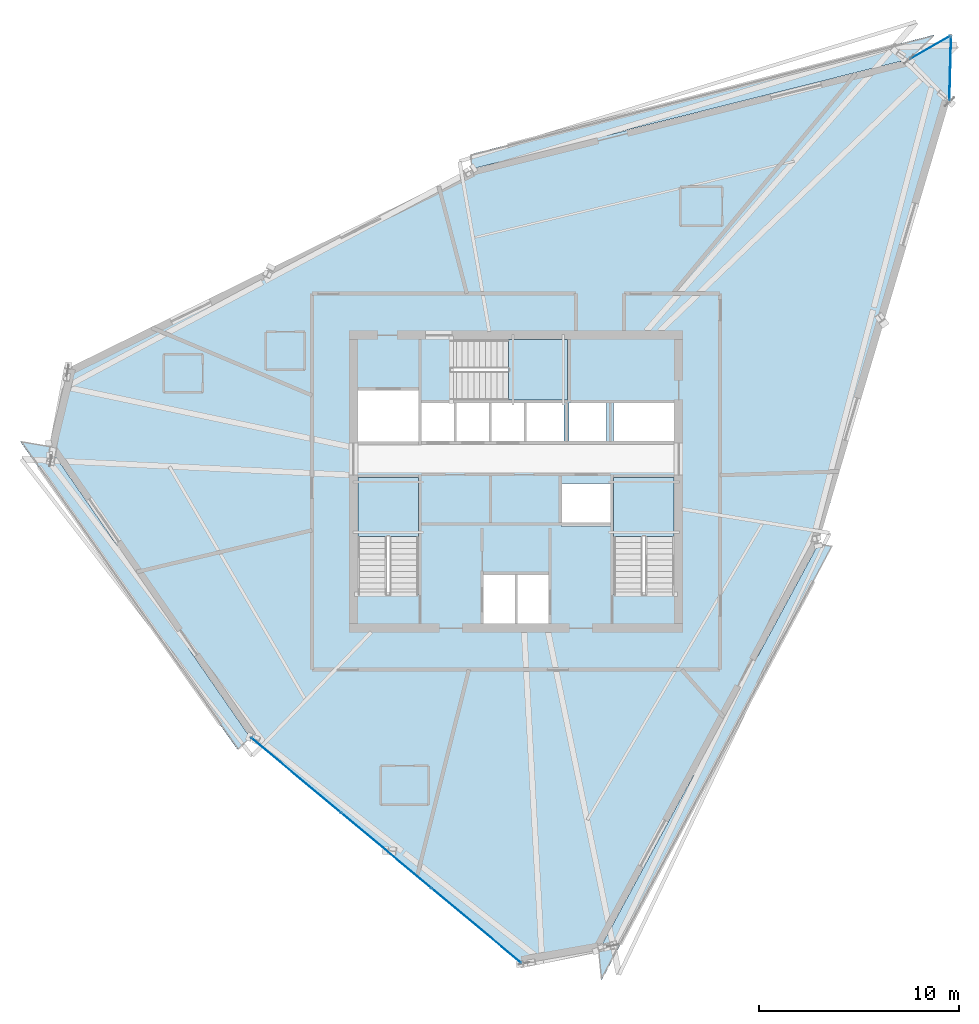
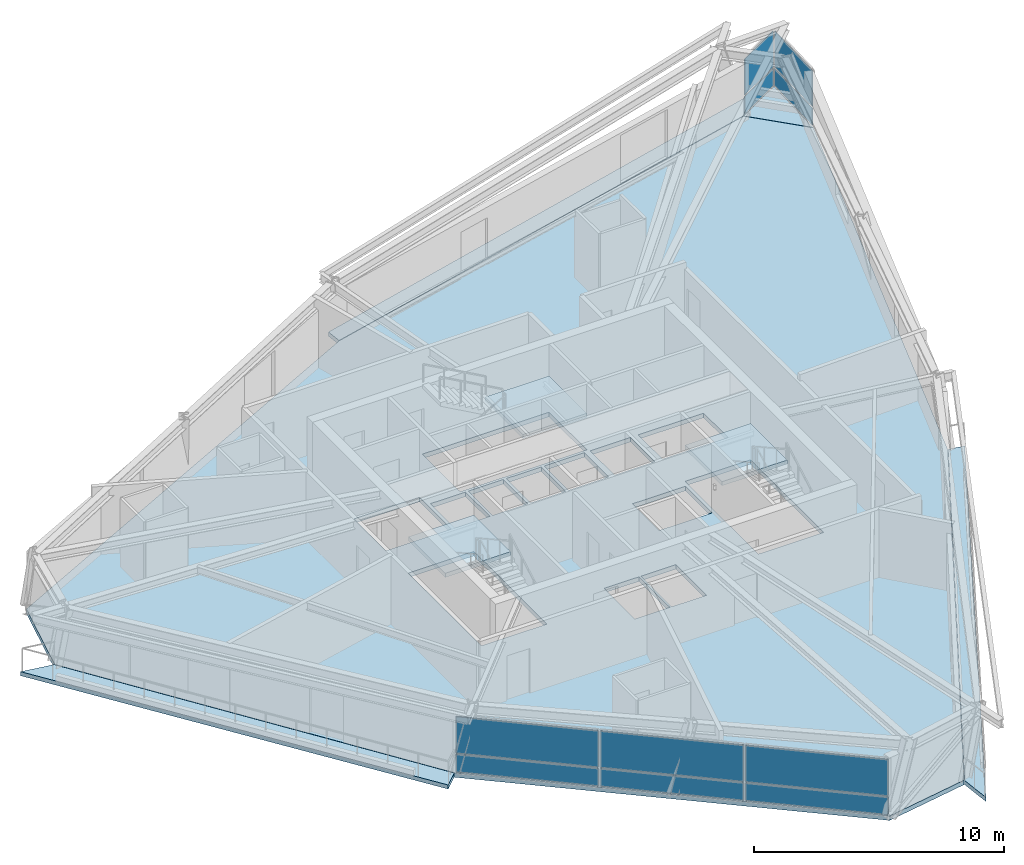
# One storey, part 6 of 14: 10 plates, 8 slabs, 6 elements without a shape of their own.
"""IFC4 building model written with IfcOpenShell, lengths in metres."""

from ifc_helpers import new_model, si_unit, direction, frame, origin, origin_2d, place, context, subcontext, project, spatial, polyline, rectangle, outline, extrude, source, transform, mapped, material, layer, layer_set, type_object, element, aggregate, save


model = new_model("IFC4")

# Units and contexts
model_context = context("Model", 3, precision=1e-05, world=origin(), true_north=direction((0.0, 1.0)))
body_context = subcontext(model_context, "Body", "Model", "MODEL_VIEW")
ifc_project = project(units=[si_unit("LENGTHUNIT", "METRE"), si_unit("AREAUNIT", "SQUARE_METRE"), si_unit("VOLUMEUNIT", "CUBIC_METRE"), si_unit("PLANEANGLEUNIT", "RADIAN"), si_unit("MASSUNIT", "GRAM", prefix="KILO")], contexts=[model_context])

# Site, building, storey
site_placement = place(None, origin())
site = spatial("IfcSite", under=ifc_project, at=site_placement, CompositionType="ELEMENT")
building_placement = place(site_placement, origin())
building = spatial("IfcBuilding", under=site, at=building_placement, Name="Olszyna Solenne Hotel", CompositionType="ELEMENT")
storey_placement = place(building_placement, frame((0.0, 0.0, 220.25)))
storey = spatial("IfcBuildingStorey", under=building, at=storey_placement, Name="L58", CompositionType="ELEMENT", Elevation=220.25)

# Stair, slab
ifc_material_1 = material(Name="Concrete C40/50", Category="concrete")
stair_type = type_object("IfcStairType", Name="STR-C1", PredefinedType="TWO_QUARTER_WINDING_STAIR", material=ifc_material_1)
stair_1_placement = place(storey_placement, origin())
stair_1 = element("IfcStair", 1, at=stair_1_placement, inside=storey, type_object=stair_type, Name="L58 ST1", PredefinedType="TWO_QUARTER_WINDING_STAIR")
ifc_layer_1 = layer(ifc_material_1, 0.18994140625, Name="Concrete C40/50")
ifc_layer_set_1 = layer_set([ifc_layer_1], Name="Concrete C40/50")
slab_type_1 = type_object("IfcSlabType", Name="SL-LN190", PredefinedType="LANDING", material=ifc_layer_set_1)
slab_1_placement = place(storey_placement, frame((0.0, 0.0, 1.574951171875)))
slab_1 = element("IfcSlab", 2, at=slab_1_placement, type_object=slab_type_1, Name="ST1 landing 1", PredefinedType="LANDING", context=body_context, shape_type="SweptSolid", body=[
    extrude(outline(polyline([(33.1201171875, 23.85009765625), (33.1201171875, 26.800048828125), (30.10009765625, 26.800048828125), (30.10009765625, 23.85009765625), (33.1201171875, 23.85009765625)])), origin(), (0.0, 0.0, 1.0), 0.199951171875),
])
aggregate(stair_1, [slab_1])

stair_2_placement = place(storey_placement, origin())
stair_2 = element("IfcStair", 3, at=stair_2_placement, inside=storey, type_object=stair_type, Name="L58 ST2", PredefinedType="TWO_QUARTER_WINDING_STAIR")
slab_2_placement = place(storey_placement, frame((0.0, 0.0, 1.574951171875)))
slab_2 = element("IfcSlab", 4, at=slab_2_placement, type_object=slab_type_1, Name="ST2 landing 1", PredefinedType="LANDING", context=body_context, shape_type="SweptSolid", body=[
    extrude(outline(polyline([(45.89990234375, 23.85009765625), (45.89990234375, 26.800048828125), (42.8798828125, 26.800048828125), (42.8798828125, 23.85009765625), (45.89990234375, 23.85009765625)])), origin(), (0.0, 0.0, 1.0), 0.199951171875),
])
aggregate(stair_2, [slab_2])

stair_3_placement = place(storey_placement, origin())
stair_3 = element("IfcStair", 5, at=stair_3_placement, inside=storey, type_object=stair_type, Name="L58 ST3", PredefinedType="TWO_QUARTER_WINDING_STAIR")
slab_3_placement = place(storey_placement, frame((0.0, 0.0, 1.574951171875)))
slab_3 = element("IfcSlab", 6, at=slab_3_placement, type_object=slab_type_1, Name="ST3 landing 1", PredefinedType="LANDING", context=body_context, shape_type="SweptSolid", body=[
    extrude(outline(polyline([(37.6298828125, 30.679931640625), (40.580078125, 30.679931640625), (40.580078125, 33.699951171875), (37.6298828125, 33.699951171875), (37.6298828125, 30.679931640625)])), origin(), (0.0, 0.0, 1.0), 0.199951171875),
])
aggregate(stair_3, [slab_3])

# Slabs
ifc_material_2 = material(Name="Precast concrete C45/55", Category="concrete")
ifc_layer_2 = layer(ifc_material_2, 0.199951171875, Name="Precast concrete C45/55")
ifc_layer_set_2 = layer_set([ifc_layer_2], Name="Precast concrete C45/55")
slab_type_2 = type_object("IfcSlabType", Name="SL-LOG200", PredefinedType="FLOOR", material=ifc_layer_set_2)
slab_4_placement = place(storey_placement, frame((0.0, 0.0, -0.199951171875)))
element("IfcSlab", 7, at=slab_4_placement, inside=storey, type_object=slab_type_2, Name="Exterior loggia balcony slab SL-L58-LG1", PredefinedType="FLOOR", context=body_context, shape_type="SweptSolid", body=[
    extrude(outline(polyline([(35.805419921875, 42.2314453125), (57.635498046875, 47.708740234375), (57.684814453125, 47.737060546875), (58.919677734375, 48.934814453125), (35.730712890625, 42.958984375), (35.805419921875, 42.2314453125)])), origin(), (0.0, 0.0, 1.0), 0.199951171875),
])
slab_5_placement = place(storey_placement, frame((0.0, 0.0, -0.199951171875)))
element("IfcSlab", 8, at=slab_5_placement, inside=storey, type_object=slab_type_2, Name="Exterior loggia balcony slab SL-L58-LG2", PredefinedType="FLOOR", context=body_context, shape_type="SweptSolid", body=[
    extrude(outline(polyline([(24.71484375, 13.81298828125), (24.714111328125, 13.813720703125), (24.71337890625, 13.814697265625), (14.645751953125, 28.345947265625), (14.64501953125, 28.34716796875), (14.644287109375, 28.348388671875), (14.643798828125, 28.349609375), (14.643310546875, 28.35107421875), (14.64306640625, 28.3525390625), (14.64306640625, 28.35400390625), (14.64306640625, 28.355224609375), (14.643310546875, 28.356689453125), (14.643310546875, 28.35693359375), (13.22705078125, 28.60009765625), (24.08642578125, 13.203369140625), (24.71484375, 13.81298828125)])), origin(), (0.0, 0.0, 1.0), 0.199951171875),
])
slab_6_placement = place(storey_placement, frame((0.0, 0.0, -0.199951171875)))
element("IfcSlab", 9, at=slab_6_placement, inside=storey, type_object=slab_type_2, Name="Exterior loggia balcony slab SL-L58-LG3", PredefinedType="FLOOR", context=body_context, shape_type="SweptSolid", body=[
    extrude(outline(polyline([(53.10595703125, 23.476806640625), (53.10546875, 23.47509765625), (53.10498046875, 23.473876953125), (53.104248046875, 23.472412109375), (42.14111328125, 3.17138671875), (42.140380859375, 3.170166015625), (42.139404296875, 3.1689453125), (42.138427734375, 3.167724609375), (42.137451171875, 3.166748046875), (42.13623046875, 3.166015625), (42.135009765625, 3.165283203125), (42.133544921875, 3.16455078125), (42.132080078125, 3.1640625), (42.130615234375, 3.163818359375), (42.12939453125, 3.16357421875), (42.280517578125, 1.693115234375), (53.806396484375, 23.356689453125), (53.10595703125, 23.476806640625)])), origin(), (0.0, 0.0, 1.0), 0.199951171875),
])
ifc_material_3 = material(Name="Concrete C50/60", Category="concrete")
ifc_layer_3 = layer(ifc_material_3, 0.219970703125, Name="Concrete C50/60")
ifc_layer_set_3 = layer_set([ifc_layer_3], Name="Concrete C50/60")
slab_type_3 = type_object("IfcSlabType", Name="SL-TW225", PredefinedType="FLOOR", material=ifc_layer_set_3)
slab_7_placement = place(storey_placement, frame((0.0, 0.0, -0.219970703125)))
element("IfcSlab", 10, at=slab_7_placement, inside=storey, type_object=slab_type_3, Name="Floor slab SL-TW225 SL-L58-01", PredefinedType="FLOOR", context=body_context, shape_type="SweptSolid", body=[
    extrude(outline(polyline([(59.65576171875, 45.597900390625), (57.64111328125, 47.69482421875), (35.806884765625, 42.21630859375), (15.6123046875, 32.27001953125), (14.657958984375, 28.3544921875), (24.7255859375, 13.8232421875), (38.304931640625, 2.50439453125), (42.1279296875, 3.178466796875), (53.091064453125, 23.4794921875), (59.65576171875, 45.597900390625)]), holes=[polyline([(30.10009765625, 20.949951171875), (33.1201171875, 20.949951171875), (33.1201171875, 26.800048828125), (30.10009765625, 26.800048828125), (30.10009765625, 20.949951171875)]), polyline([(42.8798828125, 20.949951171875), (45.89990234375, 20.949951171875), (45.89990234375, 26.800048828125), (42.8798828125, 26.800048828125), (42.8798828125, 20.949951171875)]), polyline([(34.72998046875, 30.679931640625), (40.580078125, 30.679931640625), (40.580078125, 33.699951171875), (34.72998046875, 33.699951171875), (34.72998046875, 30.679931640625)]), polyline([(36.340087890625, 19.5), (37.9599609375, 19.5), (37.9599609375, 21.9599609375), (36.340087890625, 21.9599609375), (36.340087890625, 19.5)]), polyline([(38.0400390625, 19.5), (39.659912109375, 19.5), (39.659912109375, 21.9599609375), (38.0400390625, 21.9599609375), (38.0400390625, 19.5)]), polyline([(30.10009765625, 28.60009765625), (33.1201171875, 28.60009765625), (33.1201171875, 31.159912109375), (30.10009765625, 31.159912109375), (30.10009765625, 28.60009765625)]), polyline([(40.280029296875, 24.360107421875), (42.719970703125, 24.360107421875), (42.719970703125, 26.5), (40.280029296875, 26.5), (40.280029296875, 24.360107421875)]), polyline([(33.280029296875, 28.60009765625), (34.89990234375, 28.60009765625), (34.89990234375, 30.550048828125), (33.280029296875, 30.550048828125), (33.280029296875, 28.60009765625)]), polyline([(35.030029296875, 28.60009765625), (36.64990234375, 28.60009765625), (36.64990234375, 30.550048828125), (35.030029296875, 30.550048828125), (35.030029296875, 28.60009765625)]), polyline([(36.780029296875, 28.60009765625), (38.39990234375, 28.60009765625), (38.39990234375, 30.550048828125), (36.780029296875, 30.550048828125), (36.780029296875, 28.60009765625)]), polyline([(38.530029296875, 28.60009765625), (40.389892578125, 28.60009765625), (40.389892578125, 30.550048828125), (38.530029296875, 30.550048828125), (38.530029296875, 28.60009765625)]), polyline([(40.659912109375, 28.60009765625), (42.52001953125, 28.60009765625), (42.52001953125, 30.550048828125), (40.659912109375, 30.550048828125), (40.659912109375, 28.60009765625)]), polyline([(42.8798828125, 28.60009765625), (45.89990234375, 28.60009765625), (45.89990234375, 30.550048828125), (42.8798828125, 30.550048828125), (42.8798828125, 28.60009765625)])]), origin(), (0.0, 0.0, 1.0), 0.219970703125),
])
slab_8_placement = place(storey_placement, frame((0.0, 0.0, -0.219970703125)))
element("IfcSlab", 11, at=slab_8_placement, inside=storey, type_object=slab_type_3, Name="Faceted glass-prism floor slab SL-L58-PR", PredefinedType="FLOOR", context=body_context, shape_type="SweptSolid", body=[
    extrude(outline(polyline([(57.650146484375, 47.699951171875), (59.656005859375, 45.61181640625), (59.7431640625, 48.89892578125), (57.650146484375, 47.699951171875)])), origin(), (0.0, 0.0, 1.0), 0.219970703125),
])

# Curtain wall, plates
ifc_material_4 = material(Name="Anodised bronze aluminium", Category="aluminium")
curtain_wall_type_1 = type_object("IfcCurtainWallType", Name="CW-SYS-4", PredefinedType="NOTDEFINED", material=ifc_material_4)
curtain_wall_1_placement = place(storey_placement, origin())
curtain_wall_1 = element("IfcCurtainWall", 12, at=curtain_wall_1_placement, inside=storey, type_object=curtain_wall_type_1, Name="Unitised curtain wall CW-SYS-4 CW-L58-01", PredefinedType="NOTDEFINED")
ifc_material_5 = material(Name="Terracotta cladding", Category="masonry")
plate_type_1 = type_object("IfcPlateType", Name="PN-SP1", PredefinedType="CURTAIN_PANEL", material=ifc_material_5)
shared_shape_1 = source(origin(), body_context, "Body", "SweptSolid", [
    extrude(rectangle(XDim=5.795166015625, YDim=0.035888671875, at=origin_2d()), origin(), (0.0, 0.0, 1.0), 0.8525390625),
])
plate_1_placement = place(storey_placement, frame((27.00146484375, 11.926513671875, 0.06494140625), z_axis=(0.0, 0.0, 1.0), x_axis=(0.768140595341, -0.640281208368, 0.0)))
plate_1 = element("IfcPlate", 13, at=plate_1_placement, type_object=plate_type_1, Name="Curtain-wall panel PN-SP1 CP-L58-01-01", PredefinedType="CURTAIN_PANEL", context=body_context, shape_type="MappedRepresentation", body=[
    mapped(shared_shape_1, transform((0.0, 0.0, 0.0), x_axis=(1.0, 0.0, 0.0), y_axis=(0.0, 1.0, 0.0), z_axis=(0.0, 0.0, 1.0), scale=1.0)),
])
plate_2_placement = place(storey_placement, frame((36.029296875, 4.4013671875, 0.06494140625), z_axis=(0.0, 0.0, 1.0), x_axis=(0.768140595341, -0.640281208368, 0.0)))
plate_2 = element("IfcPlate", 14, at=plate_2_placement, type_object=plate_type_1, Name="Curtain-wall panel PN-SP1 CP-L58-01-05", PredefinedType="CURTAIN_PANEL", context=body_context, shape_type="MappedRepresentation", body=[
    mapped(shared_shape_1, transform((0.0, 0.0, 0.0), x_axis=(1.0, 0.0, 0.0), y_axis=(0.0, 1.0, 0.0), z_axis=(0.0, 0.0, 1.0), scale=1.0)),
])
ifc_material_6 = material(Name="Low-E triple glazing", Category="glass")
plate_type_2 = type_object("IfcPlateType", Name="PN-GL1", PredefinedType="CURTAIN_PANEL", material=ifc_material_6)
shared_shape_2 = source(origin(), body_context, "Body", "SweptSolid", [
    extrude(rectangle(XDim=5.795166015625, YDim=0.035888671875, at=origin_2d()), origin(), (0.0, 0.0, 1.0), 1.7744140625),
])
plate_3_placement = place(storey_placement, frame((27.00146484375, 11.926513671875, 0.982421875), z_axis=(0.0, 0.0, 1.0), x_axis=(0.768140595341, -0.640281208368, 0.0)))
plate_3 = element("IfcPlate", 15, at=plate_3_placement, type_object=plate_type_2, Name="Curtain-wall panel PN-GL1 CP-L58-01-02", PredefinedType="CURTAIN_PANEL", context=body_context, shape_type="MappedRepresentation", body=[
    mapped(shared_shape_2, transform((0.0, 0.0, 0.0), x_axis=(1.0, 0.0, 0.0), y_axis=(0.0, 1.0, 0.0), z_axis=(0.0, 0.0, 1.0), scale=1.0)),
])
plate_4_placement = place(storey_placement, frame((36.029296875, 4.4013671875, 0.982421875), z_axis=(0.0, 0.0, 1.0), x_axis=(0.768140595341, -0.640281208368, 0.0)))
plate_4 = element("IfcPlate", 16, at=plate_4_placement, type_object=plate_type_2, Name="Curtain-wall panel PN-GL1 CP-L58-01-06", PredefinedType="CURTAIN_PANEL", context=body_context, shape_type="MappedRepresentation", body=[
    mapped(shared_shape_2, transform((0.0, 0.0, 0.0), x_axis=(1.0, 0.0, 0.0), y_axis=(0.0, 1.0, 0.0), z_axis=(0.0, 0.0, 1.0), scale=1.0)),
])
shared_shape_3 = source(origin(), body_context, "Body", "SweptSolid", [
    extrude(rectangle(XDim=5.82763671875, YDim=0.035888671875, at=origin_2d()), origin(), (0.0, 0.0, 1.0), 0.8525390625),
])
plate_5_placement = place(storey_placement, frame((31.515380859375, 8.163818359375, 0.06494140625), z_axis=(0.0, 0.0, 1.0), x_axis=(0.768140595341, -0.640281208368, 0.0)))
plate_5 = element("IfcPlate", 17, at=plate_5_placement, type_object=plate_type_1, Name="Curtain-wall panel PN-SP1 CP-L58-01-03", PredefinedType="CURTAIN_PANEL", context=body_context, shape_type="MappedRepresentation", body=[
    mapped(shared_shape_3, transform((0.0, 0.0, 0.0), x_axis=(1.0, 0.0, 0.0), y_axis=(0.0, 1.0, 0.0), z_axis=(0.0, 0.0, 1.0), scale=1.0)),
])
shared_shape_4 = source(origin(), body_context, "Body", "SweptSolid", [
    extrude(rectangle(XDim=5.82763671875, YDim=0.035888671875, at=origin_2d()), origin(), (0.0, 0.0, 1.0), 1.7744140625),
])
plate_6_placement = place(storey_placement, frame((31.515380859375, 8.163818359375, 0.982421875), z_axis=(0.0, 0.0, 1.0), x_axis=(0.768140595341, -0.640281208368, 0.0)))
plate_6 = element("IfcPlate", 18, at=plate_6_placement, type_object=plate_type_2, Name="Curtain-wall panel PN-GL1 CP-L58-01-04", PredefinedType="CURTAIN_PANEL", context=body_context, shape_type="MappedRepresentation", body=[
    mapped(shared_shape_4, transform((0.0, 0.0, 0.0), x_axis=(1.0, 0.0, 0.0), y_axis=(0.0, 1.0, 0.0), z_axis=(0.0, 0.0, 1.0), scale=1.0)),
])
aggregate(curtain_wall_1, [plate_1, plate_3, plate_5, plate_6, plate_2, plate_4])

curtain_wall_type_2 = type_object("IfcCurtainWallType", Name="CW-SYS-5", PredefinedType="NOTDEFINED", material=ifc_material_4)
curtain_wall_2_placement = place(storey_placement, origin())
curtain_wall_2 = element("IfcCurtainWall", 19, at=curtain_wall_2_placement, inside=storey, type_object=curtain_wall_type_2, Name="Unitised curtain wall CW-SYS-5 CW-L58-02", PredefinedType="NOTDEFINED")
plate_type_3 = type_object("IfcPlateType", Name="PN-PR1", PredefinedType="CURTAIN_PANEL", material=ifc_material_6)
shared_shape_5 = source(origin(), body_context, "Body", "SweptSolid", [
    extrude(rectangle(XDim=2.2724609375, YDim=0.028076171875, at=origin_2d()), origin(), (0.0, 0.0, 1.0), 0.83740234375),
])
plate_7_placement = place(storey_placement, frame((58.692138671875, 48.296875, 0.074951171875), z_axis=(0.0, 0.0, 1.0), x_axis=(0.867716803969, 0.49705889803, 0.0)))
plate_7 = element("IfcPlate", 20, at=plate_7_placement, type_object=plate_type_3, Name="Curtain-wall panel PN-PR1 CP-L58-02-01", PredefinedType="CURTAIN_PANEL", context=body_context, shape_type="MappedRepresentation", body=[
    mapped(shared_shape_5, transform((0.0, 0.0, 0.0), x_axis=(1.0, 0.0, 0.0), y_axis=(0.0, 1.0, 0.0), z_axis=(0.0, 0.0, 1.0), scale=1.0)),
])
shared_shape_6 = source(origin(), body_context, "Body", "SweptSolid", [
    extrude(rectangle(XDim=2.2724609375, YDim=0.028076171875, at=origin_2d()), origin(), (0.0, 0.0, 1.0), 1.759521484375),
])
plate_8_placement = place(storey_placement, frame((58.692138671875, 48.296875, 0.9873046875), z_axis=(0.0, 0.0, 1.0), x_axis=(0.867716803969, 0.49705889803, 0.0)))
plate_8 = element("IfcPlate", 21, at=plate_8_placement, type_object=plate_type_3, Name="Curtain-wall panel PN-PR1 CP-L58-02-02", PredefinedType="CURTAIN_PANEL", context=body_context, shape_type="MappedRepresentation", body=[
    mapped(shared_shape_6, transform((0.0, 0.0, 0.0), x_axis=(1.0, 0.0, 0.0), y_axis=(0.0, 1.0, 0.0), z_axis=(0.0, 0.0, 1.0), scale=1.0)),
])
aggregate(curtain_wall_2, [plate_7, plate_8])

curtain_wall_3_placement = place(storey_placement, origin())
curtain_wall_3 = element("IfcCurtainWall", 22, at=curtain_wall_3_placement, inside=storey, type_object=curtain_wall_type_2, Name="Unitised curtain wall CW-SYS-5 CW-L58-03", PredefinedType="NOTDEFINED")
shared_shape_7 = source(origin(), body_context, "Body", "SweptSolid", [
    extrude(rectangle(XDim=3.152099609375, YDim=0.028076171875, at=origin_2d()), origin(), (0.0, 0.0, 1.0), 0.83740234375),
])
plate_9_placement = place(storey_placement, frame((59.699462890625, 47.248291015625, 0.074951171875), z_axis=(0.0, 0.0, 1.0), x_axis=(0.026497811653, 0.999648871343, 0.0)))
plate_9 = element("IfcPlate", 23, at=plate_9_placement, type_object=plate_type_3, Name="Curtain-wall panel PN-PR1 CP-L58-03-01", PredefinedType="CURTAIN_PANEL", context=body_context, shape_type="MappedRepresentation", body=[
    mapped(shared_shape_7, transform((0.0, 0.0, 0.0), x_axis=(1.0, 0.0, 0.0), y_axis=(0.0, 1.0, 0.0), z_axis=(0.0, 0.0, 1.0), scale=1.0)),
])
shared_shape_8 = source(origin(), body_context, "Body", "SweptSolid", [
    extrude(rectangle(XDim=3.152099609375, YDim=0.028076171875, at=origin_2d()), origin(), (0.0, 0.0, 1.0), 1.759521484375),
])
plate_10_placement = place(storey_placement, frame((59.699462890625, 47.248291015625, 0.9873046875), z_axis=(0.0, 0.0, 1.0), x_axis=(0.026497811653, 0.999648871343, 0.0)))
plate_10 = element("IfcPlate", 24, at=plate_10_placement, type_object=plate_type_3, Name="Curtain-wall panel PN-PR1 CP-L58-03-02", PredefinedType="CURTAIN_PANEL", context=body_context, shape_type="MappedRepresentation", body=[
    mapped(shared_shape_8, transform((0.0, 0.0, 0.0), x_axis=(1.0, 0.0, 0.0), y_axis=(0.0, 1.0, 0.0), z_axis=(0.0, 0.0, 1.0), scale=1.0)),
])
aggregate(curtain_wall_3, [plate_9, plate_10])

save(model, "model.ifc")
